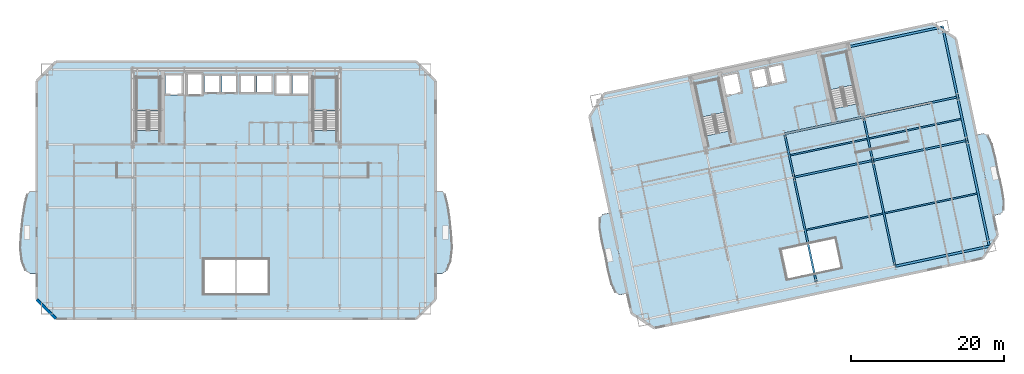
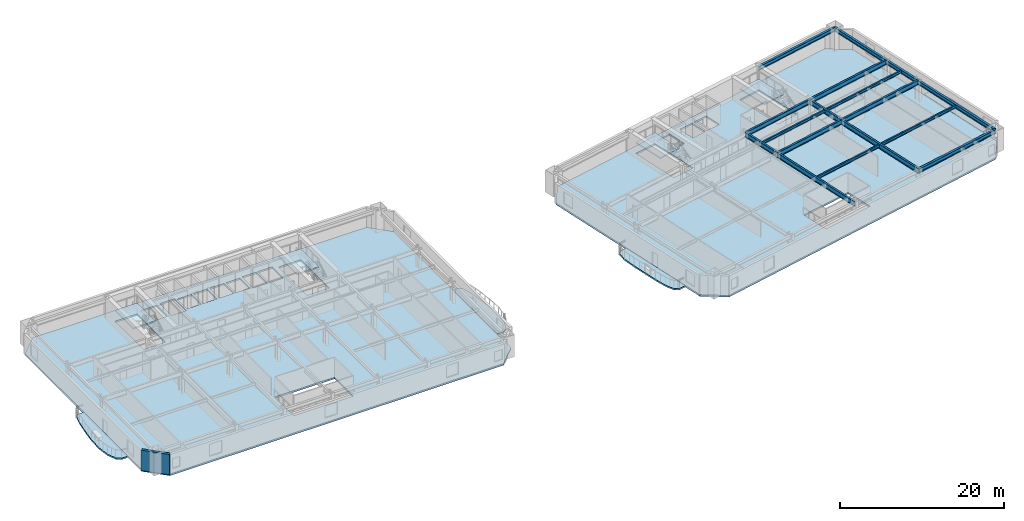
# One storey, part 4 of 15: 17 beams, 10 slabs, 1 wall, 4 elements without a shape of their own.
"""IFC4 building model written with IfcOpenShell, lengths in metres."""

from ifc_helpers import new_model, si_unit, direction, frame, frame_2d, origin, origin_2d, place, context, subcontext, project, spatial, polyline, rectangle, i_section, outline, extrude, material, layer, layer_set, material_profile, profile_set, type_object, element, aggregate, save


model = new_model("IFC4")

# Units and contexts
model_context = context("Model", 3, precision=1e-05, world=origin(), true_north=direction((0.0, 1.0)))
body_context = subcontext(model_context, "Body", "Model", "MODEL_VIEW")
ifc_project = project(units=[si_unit("LENGTHUNIT", "METRE"), si_unit("AREAUNIT", "SQUARE_METRE"), si_unit("VOLUMEUNIT", "CUBIC_METRE"), si_unit("PLANEANGLEUNIT", "RADIAN"), si_unit("MASSUNIT", "GRAM", prefix="KILO")], contexts=[model_context])

# Site, building, storey
site_placement = place(None, origin())
site = spatial("IfcSite", under=ifc_project, at=site_placement, CompositionType="ELEMENT")
building_placement = place(site_placement, origin())
building = spatial("IfcBuilding", under=site, at=building_placement, Name="Haevon Station Towers", CompositionType="ELEMENT")
storey_placement = place(building_placement, frame((0.0, 0.0, 63.60009765625)))
storey = spatial("IfcBuildingStorey", under=building, at=storey_placement, Name="L16", CompositionType="ELEMENT", Elevation=63.60009765625)

# Beams
ifc_material_1 = material(Name="Steel S355", Category="steel")
ifc_material_profile_1 = material_profile(ifc_material_1, i_section(OverallWidth=0.25, OverallDepth=0.699951171875, WebThickness=0.012939453125, FlangeThickness=0.02392578125, at=origin_2d()), Name="H-700x250x13x24")
ifc_profile_set_1 = profile_set([ifc_material_profile_1], Name="Steel S355")
beam_type_1 = type_object("IfcBeamType", Name="BM-G700", PredefinedType="BEAM", material=ifc_profile_set_1)
beam_1_placement = place(storey_placement, frame((110.228759765625, 33.9521484375, 2.699951171875), z_axis=(0.978146794194, 0.207915485254, 0.0), x_axis=(-0.207915485254, 0.978146794194, 0.0)))
element("IfcBeam", 1, at=beam_1_placement, inside=storey, type_object=beam_type_1, Name="BM-T2U-L16-02-03", PredefinedType="BEAM", context=body_context, shape_type="SweptSolid", body=[
    extrude(i_section(OverallWidth=0.25, OverallDepth=0.699951171875, WebThickness=0.012939453125, FlangeThickness=0.02392578125, at=origin_2d()), origin(), (0.0, 0.0, 1.0), 10.5),
])
beam_2_placement = place(storey_placement, frame((120.499267578125, 36.13525390625, 2.699951171875), z_axis=(0.978146686984, 0.207915989628, 0.0), x_axis=(-0.207915989628, 0.978146686984, 0.0)))
element("IfcBeam", 2, at=beam_2_placement, inside=storey, type_object=beam_type_1, Name="BM-T2U-L16-02-04", PredefinedType="BEAM", context=body_context, shape_type="SweptSolid", body=[
    extrude(i_section(OverallWidth=0.25, OverallDepth=0.699951171875, WebThickness=0.012939453125, FlangeThickness=0.02392578125, at=origin_2d()), origin(), (0.0, 0.0, 1.0), 12.550048828125),
])
beam_3_placement = place(storey_placement, frame((109.02294921875, 39.62548828125, 2.699951171875), z_axis=(0.978146794194, 0.207915485254, 0.0), x_axis=(-0.207915485254, 0.978146794194, 0.0)))
element("IfcBeam", 3, at=beam_3_placement, inside=storey, type_object=beam_type_1, Name="BM-T2U-L16-03-03", PredefinedType="BEAM", context=body_context, shape_type="SweptSolid", body=[
    extrude(i_section(OverallWidth=0.25, OverallDepth=0.699951171875, WebThickness=0.012939453125, FlangeThickness=0.02392578125, at=origin_2d()), origin(), (0.0, 0.0, 1.0), 10.5),
])
beam_4_placement = place(storey_placement, frame((119.29345703125, 41.80859375, 2.699951171875), z_axis=(0.978145846015, 0.207919945948, 0.0), x_axis=(-0.207919945948, 0.978145846015, 0.0)))
element("IfcBeam", 4, at=beam_4_placement, inside=storey, type_object=beam_type_1, Name="BM-T2U-L16-03-04", PredefinedType="BEAM", context=body_context, shape_type="SweptSolid", body=[
    extrude(i_section(OverallWidth=0.25, OverallDepth=0.699951171875, WebThickness=0.012939453125, FlangeThickness=0.02392578125, at=origin_2d()), origin(), (0.0, 0.0, 1.0), 12.5498046875),
])
beam_5_placement = place(storey_placement, frame((113.160400390625, 20.160400390625, 2.699951171875), z_axis=(-0.207919431961, 0.978145955271, 0.0), x_axis=(-0.978145955271, -0.207919431961, 0.0)))
element("IfcBeam", 5, at=beam_5_placement, inside=storey, type_object=beam_type_1, Name="BM-T2V-L16-03-01", PredefinedType="BEAM", context=body_context, shape_type="SweptSolid", body=[
    extrude(i_section(OverallWidth=0.25, OverallDepth=0.699951171875, WebThickness=0.012939453125, FlangeThickness=0.02392578125, at=origin_2d()), origin(), (0.0, 0.0, 1.0), 14.099853515625),
])
beam_6_placement = place(storey_placement, frame((110.228759765625, 33.9521484375, 2.699951171875), z_axis=(-0.207896009217, 0.97815093383, 0.0), x_axis=(-0.97815093383, -0.207896009217, 0.0)))
element("IfcBeam", 6, at=beam_6_placement, inside=storey, type_object=beam_type_1, Name="BM-T2V-L16-03-02", PredefinedType="BEAM", context=body_context, shape_type="SweptSolid", body=[
    extrude(i_section(OverallWidth=0.25, OverallDepth=0.699951171875, WebThickness=0.012939453125, FlangeThickness=0.02392578125, at=origin_2d()), origin(), (0.0, 0.0, 1.0), 5.800048828125),
])
beam_7_placement = place(storey_placement, frame((123.430908203125, 22.343505859375, 2.699951171875), z_axis=(-0.207919431961, 0.978145955271, 0.0), x_axis=(-0.978145955271, -0.207919431961, 0.0)))
element("IfcBeam", 7, at=beam_7_placement, inside=storey, type_object=beam_type_1, Name="BM-T2V-L16-04-01", PredefinedType="BEAM", context=body_context, shape_type="SweptSolid", body=[
    extrude(i_section(OverallWidth=0.25, OverallDepth=0.699951171875, WebThickness=0.012939453125, FlangeThickness=0.02392578125, at=origin_2d()), origin(), (0.0, 0.0, 1.0), 14.099853515625),
])
beam_8_placement = place(storey_placement, frame((120.499267578125, 36.13525390625, 2.699951171875), z_axis=(-0.207896009217, 0.97815093383, 0.0), x_axis=(-0.97815093383, -0.207896009217, 0.0)))
element("IfcBeam", 8, at=beam_8_placement, inside=storey, type_object=beam_type_1, Name="BM-T2V-L16-04-02", PredefinedType="BEAM", context=body_context, shape_type="SweptSolid", body=[
    extrude(i_section(OverallWidth=0.25, OverallDepth=0.699951171875, WebThickness=0.012939453125, FlangeThickness=0.02392578125, at=origin_2d()), origin(), (0.0, 0.0, 1.0), 5.800048828125),
])
ifc_material_profile_2 = material_profile(ifc_material_1, i_section(OverallWidth=0.199951171875, OverallDepth=0.39990234375, WebThickness=0.008056640625, FlangeThickness=0.012939453125, at=origin_2d()), Name="H-400x200x8x13")
ifc_profile_set_2 = profile_set([ifc_material_profile_2], Name="Steel S355")
beam_type_2 = type_object("IfcBeamType", Name="BM-J400", PredefinedType="JOIST", material=ifc_profile_set_2)
beam_9_placement = place(storey_placement, frame((111.80224609375, 27.0791015625, 2.849853515625), z_axis=(0.97814448317, 0.207926357261, 0.0), x_axis=(-0.207926357261, 0.97814448317, 0.0)))
element("IfcBeam", 9, at=beam_9_placement, inside=storey, type_object=beam_type_2, Name="BM-T2J-L16-01-03", PredefinedType="JOIST", context=body_context, shape_type="SweptSolid", body=[
    extrude(i_section(OverallWidth=0.199951171875, OverallDepth=0.39990234375, WebThickness=0.008056640625, FlangeThickness=0.012939453125, at=origin_2d()), origin(), (0.0, 0.0, 1.0), 10.27978515625),
])
beam_10_placement = place(storey_placement, frame((122.07275390625, 29.26220703125, 2.849853515625), z_axis=(0.97814878519, 0.20790611831, 0.0), x_axis=(-0.20790611831, 0.97814878519, 0.0)))
element("IfcBeam", 10, at=beam_10_placement, inside=storey, type_object=beam_type_2, Name="BM-T2J-L16-01-04", PredefinedType="JOIST", context=body_context, shape_type="SweptSolid", body=[
    extrude(i_section(OverallWidth=0.199951171875, OverallDepth=0.39990234375, WebThickness=0.008056640625, FlangeThickness=0.012939453125, at=origin_2d()), origin(), (0.0, 0.0, 1.0), 12.330078125),
])
beam_11_placement = place(storey_placement, frame((109.7333984375, 36.811767578125, 2.849853515625), z_axis=(0.978150339653, 0.207898804801, 0.0), x_axis=(-0.207898804801, 0.978150339653, 0.0)))
element("IfcBeam", 11, at=beam_11_placement, inside=storey, type_object=beam_type_2, Name="BM-T2J-L16-02-03", PredefinedType="JOIST", context=body_context, shape_type="SweptSolid", body=[
    extrude(i_section(OverallWidth=0.199951171875, OverallDepth=0.39990234375, WebThickness=0.008056640625, FlangeThickness=0.012939453125, at=origin_2d()), origin(), (0.0, 0.0, 1.0), 10.280029296875),
])
beam_12_placement = place(storey_placement, frame((120.00390625, 38.994873046875, 2.849853515625), z_axis=(0.97814878519, 0.20790611831, 0.0), x_axis=(-0.20790611831, 0.97814878519, 0.0)))
element("IfcBeam", 12, at=beam_12_placement, inside=storey, type_object=beam_type_2, Name="BM-T2J-L16-02-04", PredefinedType="JOIST", context=body_context, shape_type="SweptSolid", body=[
    extrude(i_section(OverallWidth=0.199951171875, OverallDepth=0.39990234375, WebThickness=0.008056640625, FlangeThickness=0.012939453125, at=origin_2d()), origin(), (0.0, 0.0, 1.0), 12.330078125),
])
ifc_material_profile_3 = material_profile(ifc_material_1, i_section(OverallWidth=0.300048828125, OverallDepth=0.587890625, WebThickness=0.011962890625, FlangeThickness=0.02001953125, at=origin_2d()), Name="H-588x300x12x20")
ifc_profile_set_3 = profile_set([ifc_material_profile_3], Name="Steel S355")
beam_type_3 = type_object("IfcBeamType", Name="BM-SP588", PredefinedType="SPANDREL", material=ifc_profile_set_3)
beam_13_placement = place(storey_placement, frame((123.430908203125, 22.343505859375, 2.755859375), z_axis=(0.978149802248, 0.20790133324, 0.0), x_axis=(-0.20790133324, 0.978149802248, 0.0)))
element("IfcBeam", 13, at=beam_13_placement, inside=storey, type_object=beam_type_3, Name="BM-T2U-L16-01-04", PredefinedType="SPANDREL", context=body_context, shape_type="SweptSolid", body=[
    extrude(i_section(OverallWidth=0.300048828125, OverallDepth=0.587890625, WebThickness=0.011962890625, FlangeThickness=0.02001953125, at=origin_2d()), origin(), (0.0, 0.0, 1.0), 12.5498046875),
])
beam_14_placement = place(storey_placement, frame((117.349365234375, 50.954345703125, 2.755859375), z_axis=(0.978150643069, 0.207897377242, 0.0), x_axis=(-0.207897377242, 0.978150643069, 0.0)))
element("IfcBeam", 14, at=beam_14_placement, inside=storey, type_object=beam_type_3, Name="BM-T2U-L16-04-04", PredefinedType="SPANDREL", context=body_context, shape_type="SweptSolid", body=[
    extrude(i_section(OverallWidth=0.300048828125, OverallDepth=0.587890625, WebThickness=0.011962890625, FlangeThickness=0.02001953125, at=origin_2d()), origin(), (0.0, 0.0, 1.0), 12.550048828125),
])
beam_15_placement = place(storey_placement, frame((135.70654296875, 24.95263671875, 2.755859375), z_axis=(-0.207899344185, 0.97815022501, 0.0), x_axis=(-0.97815022501, -0.207899344185, 0.0)))
element("IfcBeam", 15, at=beam_15_placement, inside=storey, type_object=beam_type_3, Name="BM-T2V-L16-05-01", PredefinedType="SPANDREL", context=body_context, shape_type="SweptSolid", body=[
    extrude(i_section(OverallWidth=0.300048828125, OverallDepth=0.587890625, WebThickness=0.011962890625, FlangeThickness=0.02001953125, at=origin_2d()), origin(), (0.0, 0.0, 1.0), 14.10009765625),
])
beam_16_placement = place(storey_placement, frame((132.775146484375, 38.74462890625, 2.755859375), z_axis=(-0.207936282142, 0.978142373363, 0.0), x_axis=(-0.978142373363, -0.207936282142, 0.0)))
element("IfcBeam", 16, at=beam_16_placement, inside=storey, type_object=beam_type_3, Name="BM-T2V-L16-05-02", PredefinedType="SPANDREL", context=body_context, shape_type="SweptSolid", body=[
    extrude(i_section(OverallWidth=0.300048828125, OverallDepth=0.587890625, WebThickness=0.011962890625, FlangeThickness=0.02001953125, at=origin_2d()), origin(), (0.0, 0.0, 1.0), 5.800048828125),
])
beam_17_placement = place(storey_placement, frame((131.569091796875, 44.41796875, 2.755859375), z_axis=(-0.207902477038, 0.978149559138, 0.0), x_axis=(-0.978149559138, -0.207902477038, 0.0)))
element("IfcBeam", 17, at=beam_17_placement, inside=storey, type_object=beam_type_3, Name="BM-T2V-L16-05-03", PredefinedType="SPANDREL", context=body_context, shape_type="SweptSolid", body=[
    extrude(i_section(OverallWidth=0.300048828125, OverallDepth=0.587890625, WebThickness=0.011962890625, FlangeThickness=0.02001953125, at=origin_2d()), origin(), (0.0, 0.0, 1.0), 9.349853515625),
])

# Slabs
ifc_material_2 = material(Name="Concrete C40/50", Category="concrete")
ifc_layer_1 = layer(ifc_material_2, 0.219970703125)
ifc_layer_set_1 = layer_set([ifc_layer_1], Name="Concrete C40/50")
slab_type_1 = type_object("IfcSlabType", Name="SL-BALC220", PredefinedType="FLOOR", material=ifc_layer_set_1)
slab_1_placement = place(storey_placement, frame((0.0, 0.0, -0.22021484375)))
element("IfcSlab", 18, at=slab_1_placement, inside=storey, type_object=slab_type_1, Name="Tower 1 L16 West SCALLOPED BALCONY", PredefinedType="FLOOR", context=body_context, shape_type="SweptSolid", body=[
    extrude(outline(polyline([(11.4951171875, 32.14990234375), (10.613037109375, 32.14990234375), (10.261962890625, 31.739013671875), (9.96240234375, 30.568359375), (9.6591796875, 28.81640625), (9.39501953125, 26.75), (9.316162109375, 24.68359375), (9.541015625, 22.931640625), (10.03173828125, 21.760986328125), (10.613037109375, 21.35009765625), (11.4951171875, 21.35009765625), (11.4951171875, 32.14990234375)])), origin(), (0.0, 0.0, 1.0), 0.22021484375),
])
slab_2_placement = place(storey_placement, frame((0.0, 0.0, -0.22021484375)))
element("IfcSlab", 19, at=slab_2_placement, inside=storey, type_object=slab_type_1, Name="Tower 1 L16 East SCALLOPED BALCONY", PredefinedType="FLOOR", context=body_context, shape_type="SweptSolid", body=[
    extrude(outline(polyline([(63.5048828125, 21.35009765625), (64.386962890625, 21.35009765625), (64.96826171875, 21.760986328125), (65.458984375, 22.931640625), (65.683837890625, 24.68359375), (65.60498046875, 26.75), (65.3408203125, 28.81640625), (65.03759765625, 30.568359375), (64.738037109375, 31.739013671875), (64.386962890625, 32.14990234375), (63.5048828125, 32.14990234375), (63.5048828125, 21.35009765625)])), origin(), (0.0, 0.0, 1.0), 0.22021484375),
])
slab_3_placement = place(storey_placement, frame((0.0, 0.0, -0.22021484375)))
element("IfcSlab", 20, at=slab_3_placement, inside=storey, type_object=slab_type_1, Name="Tower 2 L16 West SCALLOPED BALCONY", PredefinedType="FLOOR", context=body_context, shape_type="SweptSolid", body=[
    extrude(outline(polyline([(86.25830078125, 29.3427734375), (85.291259765625, 29.13720703125), (84.91259765625, 28.636474609375), (84.882080078125, 27.433349609375), (85.15576171875, 25.700439453125), (85.5751953125, 23.677001953125), (86.01513671875, 21.65771484375), (86.4697265625, 19.96337890625), (86.987060546875, 18.876708984375), (87.536865234375, 18.5732421875), (88.503662109375, 18.77880859375), (86.25830078125, 29.3427734375)])), origin(), (0.0, 0.0, 1.0), 0.22021484375),
])
slab_4_placement = place(storey_placement, frame((0.0, 0.0, -0.22021484375)))
element("IfcSlab", 21, at=slab_4_placement, inside=storey, type_object=slab_type_1, Name="Tower 2 L16 East SCALLOPED BALCONY", PredefinedType="FLOOR", context=body_context, shape_type="SweptSolid", body=[
    extrude(outline(polyline([(136.2470703125, 28.927001953125), (137.214111328125, 29.132568359375), (137.593017578125, 29.63330078125), (137.62353515625, 30.83642578125), (137.349853515625, 32.5693359375), (136.930419921875, 34.5927734375), (136.490478515625, 36.612060546875), (136.03564453125, 38.306396484375), (135.5185546875, 39.39306640625), (134.96875, 39.696533203125), (134.001708984375, 39.490966796875), (136.2470703125, 28.927001953125)])), origin(), (0.0, 0.0, 1.0), 0.22021484375),
])

# Stair, slab
stair_type = type_object("IfcStairType", Name="STR-DL1450", PredefinedType="USERDEFINED", material=ifc_material_2)
stair_1_placement = place(storey_placement, origin())
stair_1 = element("IfcStair", 22, at=stair_1_placement, inside=storey, type_object=stair_type, Name="L16 Escape Stair ST1", ObjectType="TWO_RETURN_STAIR", PredefinedType="USERDEFINED")
ifc_layer_2 = layer(ifc_material_2, 0.199951171875)
ifc_layer_set_2 = layer_set([ifc_layer_2], Name="Concrete C40/50")
slab_type_2 = type_object("IfcSlabType", Name="SL-LND200", PredefinedType="LANDING", material=ifc_layer_set_2)
slab_5_placement = place(storey_placement, frame((0.0, 0.0, 1.449951171875)))
slab_5 = element("IfcSlab", 23, at=slab_5_placement, type_object=slab_type_2, Name="L16 ST1 Half Landing 1", PredefinedType="LANDING", context=body_context, shape_type="SweptSolid", body=[
    extrude(outline(polyline([(27.580078125, 42.56396484375), (27.580078125, 47.0), (24.47998046875, 47.0), (24.47998046875, 42.56396484375), (27.580078125, 42.56396484375)])), origin(), (0.0, 0.0, 1.0), 0.199951171875),
])
aggregate(stair_1, [slab_5])

stair_2_placement = place(storey_placement, origin())
stair_2 = element("IfcStair", 24, at=stair_2_placement, inside=storey, type_object=stair_type, Name="L16 Escape Stair ST2", ObjectType="TWO_RETURN_STAIR", PredefinedType="USERDEFINED")
slab_6_placement = place(storey_placement, frame((0.0, 0.0, 1.449951171875)))
slab_6 = element("IfcSlab", 25, at=slab_6_placement, type_object=slab_type_2, Name="L16 ST2 Half Landing 1", PredefinedType="LANDING", context=body_context, shape_type="SweptSolid", body=[
    extrude(outline(polyline([(50.6201171875, 42.56396484375), (50.6201171875, 47.0), (47.52001953125, 47.0), (47.52001953125, 42.56396484375), (50.6201171875, 42.56396484375)])), origin(), (0.0, 0.0, 1.0), 0.199951171875),
])
aggregate(stair_2, [slab_6])

stair_3_placement = place(storey_placement, origin())
stair_3 = element("IfcStair", 26, at=stair_3_placement, inside=storey, type_object=stair_type, Name="L16 Escape Stair ST3", ObjectType="TWO_RETURN_STAIR", PredefinedType="USERDEFINED")
slab_7_placement = place(storey_placement, frame((0.0, 0.0, 1.449951171875)))
slab_7 = element("IfcSlab", 27, at=slab_7_placement, type_object=slab_type_2, Name="L16 ST3 Half Landing 1", PredefinedType="LANDING", context=body_context, shape_type="SweptSolid", body=[
    extrude(outline(polyline([(101.2880859375, 42.44287109375), (100.36572265625, 46.781982421875), (97.33349609375, 46.137451171875), (98.255859375, 41.79833984375), (101.2880859375, 42.44287109375)])), origin(), (0.0, 0.0, 1.0), 0.199951171875),
])
aggregate(stair_3, [slab_7])

stair_4_placement = place(storey_placement, origin())
stair_4 = element("IfcStair", 28, at=stair_4_placement, inside=storey, type_object=stair_type, Name="L16 Escape Stair ST4", ObjectType="TWO_RETURN_STAIR", PredefinedType="USERDEFINED")
slab_8_placement = place(storey_placement, frame((0.0, 0.0, 1.449951171875)))
slab_8 = element("IfcSlab", 29, at=slab_8_placement, type_object=slab_type_2, Name="L16 ST4 Half Landing 1", PredefinedType="LANDING", context=body_context, shape_type="SweptSolid", body=[
    extrude(outline(polyline([(117.975341796875, 45.989990234375), (117.052978515625, 50.328857421875), (114.020751953125, 49.684326171875), (114.943115234375, 45.345458984375), (117.975341796875, 45.989990234375)])), origin(), (0.0, 0.0, 1.0), 0.199951171875),
])
aggregate(stair_4, [slab_8])

# Slabs
ifc_layer_3 = layer(ifc_material_2, 0.25)
ifc_layer_set_3 = layer_set([ifc_layer_3], Name="Concrete C40/50")
slab_type_3 = type_object("IfcSlabType", Name="SL-TW250", PredefinedType="FLOOR", material=ifc_layer_set_3)
slab_9_placement = place(storey_placement, frame((0.0, 0.0, -0.25)))
element("IfcSlab", 30, at=slab_9_placement, inside=storey, type_object=slab_type_3, Name="SL-T1-L16", PredefinedType="FLOOR", context=body_context, shape_type="SweptSolid", body=[
    extrude(outline(polyline([(14.0, 15.5), (61.0, 15.5), (63.5, 18.0), (63.5, 46.5), (61.0, 49.0), (14.0, 49.0), (11.5, 46.5), (11.5, 18.0), (14.0, 15.5)]), holes=[polyline([(27.580078125, 40.055908203125), (27.580078125, 47.0), (24.47998046875, 47.0), (24.47998046875, 40.055908203125), (27.580078125, 40.055908203125)]), polyline([(50.6201171875, 40.055908203125), (50.6201171875, 47.0), (47.52001953125, 47.0), (47.52001953125, 40.055908203125), (50.6201171875, 40.055908203125)]), polyline([(28.300048828125, 44.699951171875), (30.5, 44.699951171875), (30.5, 47.39990234375), (28.300048828125, 47.39990234375), (28.300048828125, 44.699951171875)]), polyline([(31.050048828125, 44.60009765625), (33.14990234375, 44.60009765625), (33.14990234375, 47.5), (31.050048828125, 47.5), (31.050048828125, 44.60009765625)]), polyline([(33.39990234375, 44.89990234375), (35.39990234375, 44.89990234375), (35.39990234375, 47.300048828125), (33.39990234375, 47.300048828125), (33.39990234375, 44.89990234375)]), polyline([(35.64990234375, 44.89990234375), (37.64990234375, 44.89990234375), (37.64990234375, 47.300048828125), (35.64990234375, 47.300048828125), (35.64990234375, 44.89990234375)]), polyline([(38.0, 44.89990234375), (40.0, 44.89990234375), (40.0, 47.300048828125), (38.0, 47.300048828125), (38.0, 44.89990234375)]), polyline([(40.25, 44.89990234375), (42.25, 44.89990234375), (42.25, 47.300048828125), (40.25, 47.300048828125), (40.25, 44.89990234375)]), polyline([(42.60009765625, 44.699951171875), (44.60009765625, 44.699951171875), (44.60009765625, 47.39990234375), (42.60009765625, 47.39990234375), (42.60009765625, 44.699951171875)]), polyline([(44.85009765625, 44.699951171875), (46.85009765625, 44.699951171875), (46.85009765625, 47.39990234375), (44.85009765625, 47.39990234375), (44.85009765625, 44.699951171875)]), polyline([(33.300048828125, 18.699951171875), (41.699951171875, 18.699951171875), (41.699951171875, 23.300048828125), (33.300048828125, 23.300048828125), (33.300048828125, 18.699951171875)])]), origin(), (0.0, 0.0, 1.0), 0.25),
])
slab_10_placement = place(storey_placement, frame((0.0, 0.0, -0.25)))
element("IfcSlab", 31, at=slab_10_placement, inside=storey, type_object=slab_type_3, Name="SL-T2-L16", PredefinedType="FLOOR", context=body_context, shape_type="SweptSolid", body=[
    extrude(outline(polyline([(92.01953125, 14.28662109375), (134.862548828125, 23.39306640625), (136.7880859375, 26.358154296875), (131.330322265625, 52.03466796875), (128.365234375, 53.960205078125), (85.5224609375, 44.853759765625), (83.5966796875, 41.888427734375), (89.054443359375, 16.212158203125), (92.01953125, 14.28662109375)]), holes=[polyline([(101.8095703125, 39.98974609375), (100.36572265625, 46.781982421875), (97.33349609375, 46.137451171875), (98.77734375, 39.34521484375), (101.8095703125, 39.98974609375)]), polyline([(118.496826171875, 43.53662109375), (117.052978515625, 50.328857421875), (114.020751953125, 49.684326171875), (115.464599609375, 42.89208984375), (118.496826171875, 43.53662109375)]), polyline([(101.43212890625, 44.554931640625), (103.486328125, 44.99169921875), (102.9248046875, 47.632568359375), (100.870849609375, 47.196044921875), (101.43212890625, 44.554931640625)]), polyline([(105.009765625, 45.519775390625), (106.966064453125, 45.935791015625), (106.467041015625, 48.283203125), (104.5107421875, 47.867431640625), (105.009765625, 45.519775390625)]), polyline([(107.259521484375, 45.998046875), (109.2158203125, 46.413818359375), (108.716796875, 48.761474609375), (106.760498046875, 48.345703125), (107.259521484375, 45.998046875)]), polyline([(109.379150390625, 20.634521484375), (116.421875, 22.131591796875), (115.590087890625, 26.044189453125), (108.54736328125, 24.547119140625), (109.379150390625, 20.634521484375)])]), origin(), (0.0, 0.0, 1.0), 0.25),
])

# Wall
ifc_material_3 = material(Name="Precast concrete C45/55", Category="concrete")
ifc_layer_4 = layer(ifc_material_3, 0.340087890625)
ifc_layer_set_4 = layer_set([ifc_layer_4], Name="Precast concrete C45/55")
wall_type = type_object("IfcWallType", Name="WL-EXT-PIER340", PredefinedType="SOLIDWALL", material=ifc_layer_set_4)
wall_placement = place(storey_placement, frame((14.0, 15.5, 0.0), z_axis=(0.0, 0.0, 1.0), x_axis=(-0.707106781187, 0.707106781187, 0.0)))
element("IfcWall", 32, at=wall_placement, inside=storey, type_object=wall_type, Name="WL-T1-L16-SWC", PredefinedType="SOLIDWALL", context=body_context, shape_type="SweptSolid", body=[
    extrude(rectangle(XDim=3.53564453125, YDim=0.340087890625, at=frame_2d((1.767822265625, 0.0))), origin(), (0.0, 0.0, 1.0), 3.02978515625),
])

save(model, "model.ifc")
